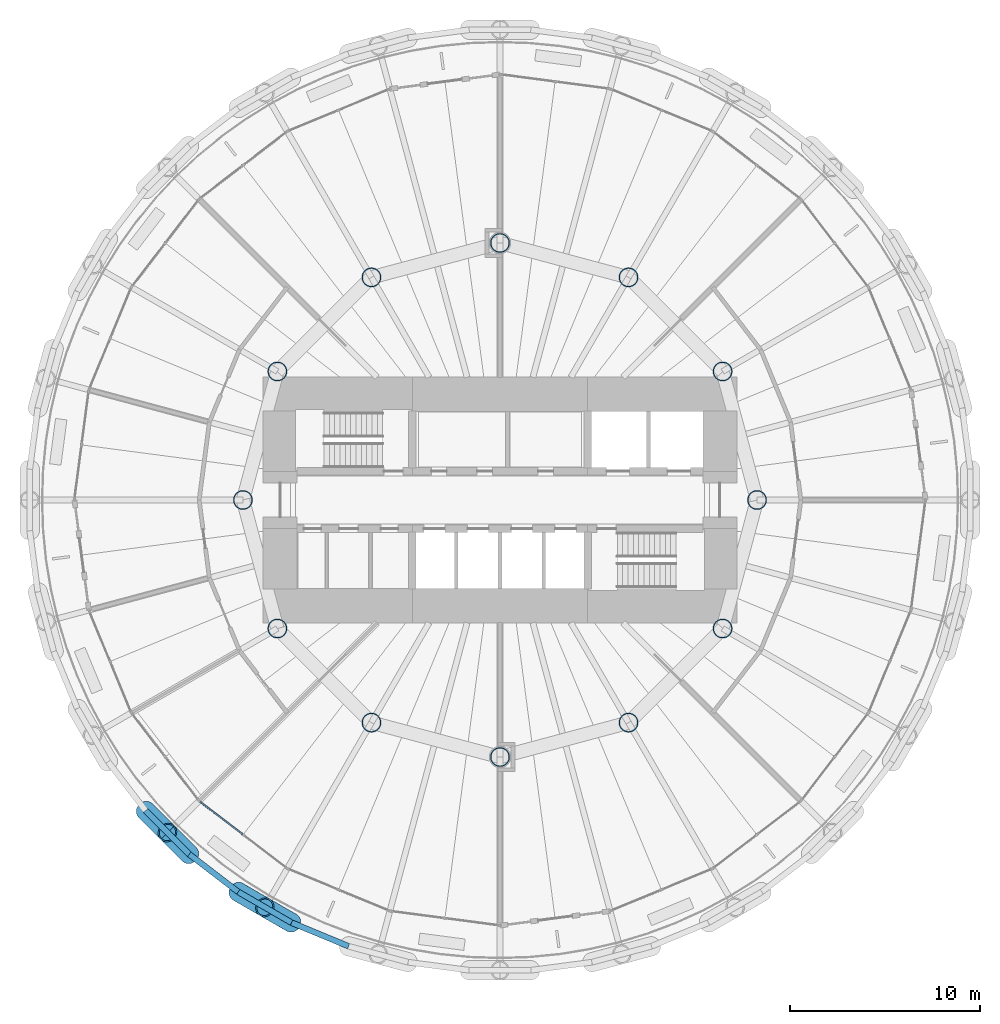
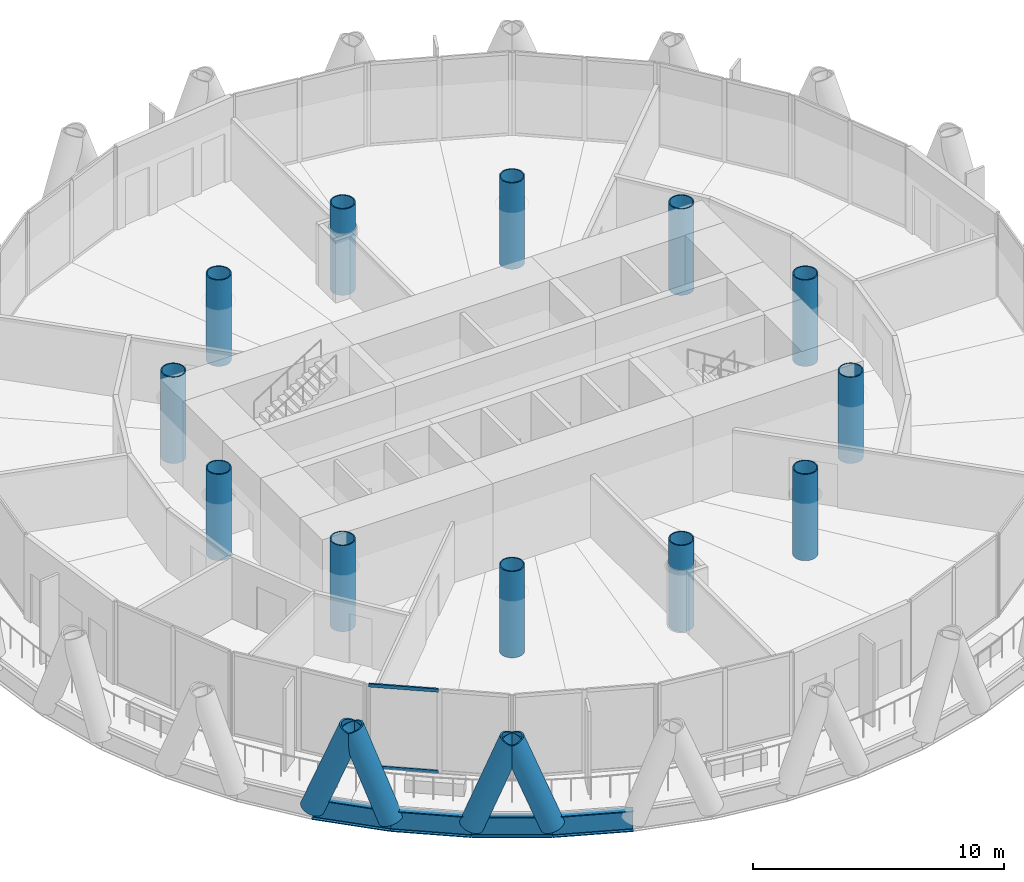
# One storey, part 1 of 15: 12 columns, 6 members, 4 beams, 1 element without a shape of its own.
"""IFC4 building model written with IfcOpenShell, lengths in metres."""

from ifc_helpers import new_model, si_unit, direction, frame, origin, origin_2d, place, context, subcontext, project, spatial, rectangle, hollow_circle, i_section, extrude, material, material_profile, profile_set, type_object, element, aggregate, save


model = new_model("IFC4")

# Units and contexts
model_context = context("Model", 3, precision=1e-05, world=origin(), true_north=direction((0.0, 1.0)))
body_context = subcontext(model_context, "Body", "Model", "MODEL_VIEW")
ifc_project = project(units=[si_unit("LENGTHUNIT", "METRE"), si_unit("AREAUNIT", "SQUARE_METRE"), si_unit("VOLUMEUNIT", "CUBIC_METRE"), si_unit("PLANEANGLEUNIT", "RADIAN"), si_unit("MASSUNIT", "GRAM", prefix="KILO")], contexts=[model_context])

# Site, building, storey
site_placement = place(None, origin())
site = spatial("IfcSite", under=ifc_project, at=site_placement, CompositionType="ELEMENT")
building_placement = place(site_placement, origin())
building = spatial("IfcBuilding", under=site, at=building_placement, Name="Qaws Media Tower", CompositionType="ELEMENT")
storey_placement = place(building_placement, frame((0.0, 0.0, 156.199951171875)))
storey = spatial("IfcBuildingStorey", under=building, at=storey_placement, Name="L35", CompositionType="ELEMENT", Elevation=156.199951171875)

# Columns
ifc_material_1 = material(Name="Steel S460", Category="steel")
ifc_material_profile_1 = material_profile(ifc_material_1, hollow_circle(Radius=0.508056640625, WallThickness=0.050048828125, at=origin_2d()), Name="CHS 1016x50")
ifc_profile_set_1 = profile_set([ifc_material_profile_1], Name="Steel S460")
column_type = type_object("IfcColumnType", Name="Inner column CHS 1016x50", PredefinedType="COLUMN", material=ifc_profile_set_1)
for number, where, z_axis, x_axis, name in (
    (1, (73.5, 50.0, 0.0), (0.0, 0.0, 1.0), (1.0, 0.0, 0.0), "C2 inner column I01 L35"),
    (2, (71.69140625, 56.75, 0.0), (0.0, 0.0, 1.0), (1.0, 0.0, 0.0), "C2 inner column I02 L35"),
    (3, (66.75, 61.69140625, 0.0), (0.0, 0.0, 1.0), (1.0, 0.0, 0.0), "C2 inner column I03 L35"),
    (4, (60.0, 63.5, 0.0), (0.0, 0.0, 1.0), (1.0, 0.0, 0.0), "C2 inner column I04 L35"),
    (5, (53.25, 61.69140625, 0.0), (0.0, 0.0, 1.0), (1.0, 0.0, 0.0), "C2 inner column I05 L35"),
    (6, (48.30859375, 56.75, 0.0), (0.0, 0.0, 1.0), (1.0, 0.0, 0.0), "C2 inner column I06 L35"),
    (7, (46.5, 50.0, 0.0), (0.0, 0.0, 1.0), (1.0, 0.0, 0.0), "C2 inner column I07 L35"),
    (8, (48.30859375, 43.25, 0.0), (0.0, 0.0, 1.0), (1.0, 0.0, 0.0), "C2 inner column I08 L35"),
    (9, (53.25, 38.30859375, 0.0), (0.0, 0.0, 1.0), (1.0, 0.0, 0.0), "C2 inner column I09 L35"),
    (10, (60.0, 36.5, 0.0), (0.0, 0.0, 1.0), (1.0, 0.0, 0.0), "C2 inner column I10 L35"),
    (11, (66.75, 38.30859375, 0.0), (0.0, 0.0, 1.0), (1.0, 0.0, 0.0), "C2 inner column I11 L35"),
    (12, (71.69140625, 43.25, 0.0), (0.0, 0.0, 1.0), (1.0, 0.0, 0.0), "C2 inner column I12 L35"),
):
    element("IfcColumn", number, at=place(storey_placement, frame(where, z_axis=z_axis, x_axis=x_axis)), inside=storey, type_object=column_type, Name=name, PredefinedType="COLUMN", context=body_context, shape_type="SweptSolid", body=[
        extrude(hollow_circle(Radius=0.508056640625, WallThickness=0.050048828125, at=origin_2d()), origin(), (0.0, 0.0, 1.0), 4.199951171875),
    ])

# Curtain wall, members
ifc_material_2 = material(Name="Aluminium and clear glass", Category="aluminium")
curtain_wall_type = type_object("IfcCurtainWallType", Name="Unitised curtain wall CW-B", PredefinedType="NOTDEFINED", material=ifc_material_2)
curtain_wall_placement = place(storey_placement, origin())
curtain_wall = element("IfcCurtainWall", 13, at=curtain_wall_placement, inside=storey, type_object=curtain_wall_type, Name="CWB curtain wall L35-16", PredefinedType="NOTDEFINED")
ifc_material_3 = material(Name="Aluminium transom", Category="aluminium")
ifc_material_profile_2 = material_profile(ifc_material_3, rectangle(XDim=0.080078125, YDim=0.159912109375, at=origin_2d()), Name="80x160")
ifc_profile_set_2 = profile_set([ifc_material_profile_2], Name="Aluminium transom")
member_type_1 = type_object("IfcMemberType", Name="Curtain wall transom 80x160", PredefinedType="USERDEFINED", material=ifc_profile_set_2)
member_1_placement = place(storey_placement, frame((44.259521484375, 34.1474609375, 0.0400390625), z_axis=(0.793353438114, -0.608761301523, 0.0), x_axis=(0.608761301523, 0.793353438114, 0.0)))
member_1 = element("IfcMember", 14, at=member_1_placement, type_object=member_type_1, Name="CWB transom 1.1", ObjectType="TRANSOM", PredefinedType="USERDEFINED", context=body_context, shape_type="SweptSolid", body=[
    extrude(rectangle(XDim=0.080078125, YDim=0.159912109375, at=origin_2d()), origin(), (0.0, 0.0, 1.0), 2.79736328125),
])
member_2_placement = place(storey_placement, frame((44.259521484375, 34.1474609375, 4.0), z_axis=(0.793353438114, -0.608761301523, 0.0), x_axis=(0.608761301523, 0.793353438114, 0.0)))
member_2 = element("IfcMember", 15, at=member_2_placement, type_object=member_type_1, Name="CWB transom 1.2", ObjectType="TRANSOM", PredefinedType="USERDEFINED", context=body_context, shape_type="SweptSolid", body=[
    extrude(rectangle(XDim=0.080078125, YDim=0.159912109375, at=origin_2d()), origin(), (0.0, 0.0, 1.0), 2.79736328125),
])
aggregate(curtain_wall, [member_1, member_2])

# Members
ifc_material_4 = material(Name="Steel S460", Category="steel")
ifc_material_profile_3 = material_profile(ifc_material_4, hollow_circle(Radius=0.508056640625, WallThickness=0.070068359375, at=origin_2d()), Name="CHS 1016x70")
ifc_profile_set_3 = profile_set([ifc_material_profile_3], Name="Steel S460")
member_type_2 = type_object("IfcMemberType", Name="Diagrid member CHS 1016x70", PredefinedType="USERDEFINED", material=ifc_profile_set_3)
member_3_placement = place(storey_placement, frame((41.391845703125, 33.68115234375, -0.6640625), z_axis=(0.253830352137, -0.254752385467, 0.933097730376), x_axis=(0.708387563847, 0.705823674431, 0.0)))
element("IfcMember", 16, at=member_3_placement, inside=storey, type_object=member_type_2, Name="DG3 diagrid L35 A15", ObjectType="DIAGRID", PredefinedType="USERDEFINED", context=body_context, shape_type="SweptSolid", body=[
    extrude(hollow_circle(Radius=0.508056640625, WallThickness=0.070068359375, at=origin_2d()), origin(), (0.0, 0.0, 1.0), 4.50146484375),
])
member_4_placement = place(storey_placement, frame((46.249755859375, 29.421142578125, -0.6640625), z_axis=(0.311056012492, -0.180396215789, 0.933113799288), x_axis=(0.501684228917, 0.865050827672, 0.0)))
element("IfcMember", 17, at=member_4_placement, inside=storey, type_object=member_type_2, Name="DG3 diagrid L35 A16", ObjectType="DIAGRID", PredefinedType="USERDEFINED", context=body_context, shape_type="SweptSolid", body=[
    extrude(hollow_circle(Radius=0.508056640625, WallThickness=0.070068359375, at=origin_2d()), origin(), (0.0, 0.0, 1.0), 4.501220703125),
])
for number, where, z_axis, x_axis, name in (
    (18, (43.68115234375, 31.391845703125, -0.6640625), (-0.254752385467, 0.253830352137, 0.933097730376), (-0.705823674431, -0.708387563847, 0.0), "DG3 diagrid L35 B16"),
    (19, (49.053466796875, 27.802490234375, -0.6640625), (-0.311808506192, 0.179199044088, 0.933093327628), (-0.498281269713, -0.867015441762, 0.0), "DG3 diagrid L35 B17"),
):
    element("IfcMember", number, at=place(storey_placement, frame(where, z_axis=z_axis, x_axis=x_axis)), inside=storey, type_object=member_type_2, Name=name, ObjectType="DIAGRID", PredefinedType="USERDEFINED", context=body_context, shape_type="SweptSolid", body=[
        extrude(hollow_circle(Radius=0.508056640625, WallThickness=0.070068359375, at=origin_2d()), origin(), (0.0, 0.0, 1.0), 4.50146484375),
    ])

# Beams
ifc_material_5 = material(Name="Steel S460", Category="steel")
ifc_material_profile_4 = material_profile(ifc_material_5, i_section(OverallWidth=0.302001953125, OverallDepth=1.008056640625, WebThickness=0.02099609375, FlangeThickness=0.0400390625, FilletRadius=0.030029296875, at=origin_2d()), Name="HE 1000 M")
ifc_profile_set_4 = profile_set([ifc_material_profile_4], Name="Steel S460")
beam_type = type_object("IfcBeamType", Name="Edge ring beam HE 1000 M", PredefinedType="BEAM", material=ifc_profile_set_4)
for number, where, z_axis, x_axis, name in (
    (20, (41.391845703125, 33.68115234375, -0.6640625), (0.707106781187, -0.707106781187, 0.0), (0.707106781187, 0.707106781187, 0.0), "RB3 edge ring beam L35-30"),
    (21, (43.68115234375, 31.391845703125, -0.6640625), (0.793391479616, -0.608711721648, 0.0), (0.608711721648, 0.793391479616, 0.0), "RB3 edge ring beam L35-31"),
):
    element("IfcBeam", number, at=place(storey_placement, frame(where, z_axis=z_axis, x_axis=x_axis)), inside=storey, type_object=beam_type, Name=name, PredefinedType="BEAM", context=body_context, shape_type="SweptSolid", body=[
        extrude(i_section(OverallWidth=0.302001953125, OverallDepth=1.008056640625, WebThickness=0.02099609375, FlangeThickness=0.0400390625, FilletRadius=0.030029296875, at=origin_2d()), origin(), (0.0, 0.0, 1.0), 3.237548828125),
    ])
beam_1_placement = place(storey_placement, frame((46.249755859375, 29.421142578125, -0.6640625), z_axis=(0.866034889475, -0.499983569942, 0.0), x_axis=(0.499983569942, 0.866034889475, 0.0)))
element("IfcBeam", 22, at=beam_1_placement, inside=storey, type_object=beam_type, Name="RB3 edge ring beam L35-32", PredefinedType="BEAM", context=body_context, shape_type="SweptSolid", body=[
    extrude(i_section(OverallWidth=0.302001953125, OverallDepth=1.008056640625, WebThickness=0.02099609375, FlangeThickness=0.0400390625, FilletRadius=0.030029296875, at=origin_2d()), origin(), (0.0, 0.0, 1.0), 3.2373046875),
])
beam_2_placement = place(storey_placement, frame((49.053466796875, 27.802490234375, -0.6640625), z_axis=(0.923867010273, -0.382713662324, 0.0), x_axis=(0.382713662324, 0.923867010273, 0.0)))
element("IfcBeam", 23, at=beam_2_placement, inside=storey, type_object=beam_type, Name="RB3 edge ring beam L35-33", PredefinedType="BEAM", context=body_context, shape_type="SweptSolid", body=[
    extrude(i_section(OverallWidth=0.302001953125, OverallDepth=1.008056640625, WebThickness=0.02099609375, FlangeThickness=0.0400390625, FilletRadius=0.030029296875, at=origin_2d()), origin(), (0.0, 0.0, 1.0), 3.237548828125),
])

save(model, "model.ifc")
